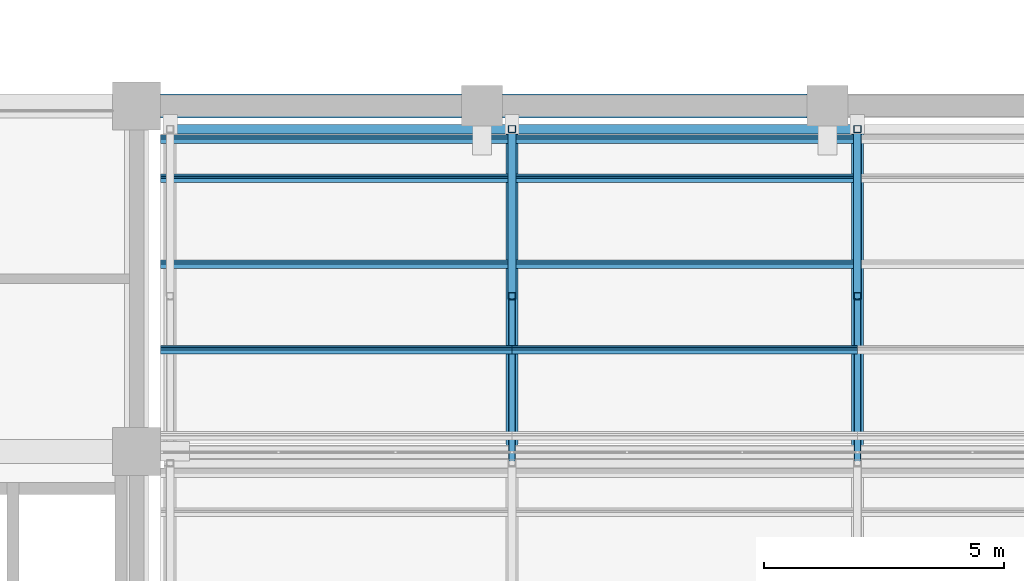
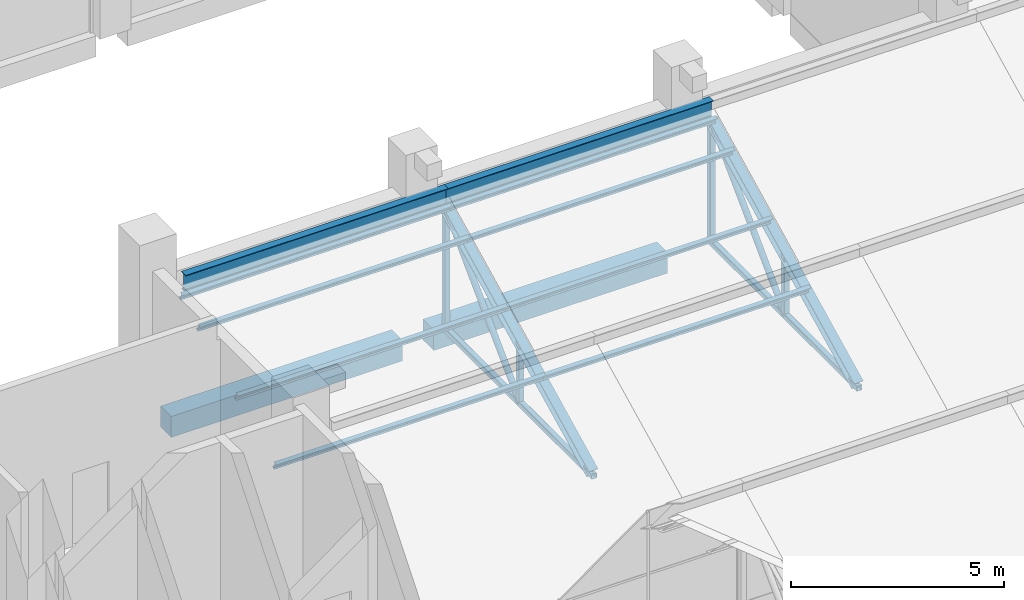
# One storey, part 15 of 83: 20 members, 2 beams.
"""IFC4 building model written with IfcOpenShell, lengths in metres."""

from ifc_helpers import new_model, si_unit, direction, frame, origin, origin_2d, place, context, subcontext, project, spatial, rectangle, hollow_rectangle, hollow_circle, i_section, extrude, material, material_profile, profile_set, type_object, element, save


model = new_model("IFC4")

# Units and contexts
model_context = context("Model", 3, precision=1e-05, world=origin(), true_north=direction((0.0, 1.0)))
body_context = subcontext(model_context, "Body", "Model", "MODEL_VIEW")
ifc_project = project(units=[si_unit("LENGTHUNIT", "METRE"), si_unit("AREAUNIT", "SQUARE_METRE"), si_unit("VOLUMEUNIT", "CUBIC_METRE"), si_unit("PLANEANGLEUNIT", "RADIAN"), si_unit("MASSUNIT", "GRAM", prefix="KILO")], contexts=[model_context])

# Site, building, storey
site_placement = place(None, origin())
site = spatial("IfcSite", under=ifc_project, at=site_placement, CompositionType="ELEMENT")
building_placement = place(site_placement, origin())
building = spatial("IfcBuilding", under=site, at=building_placement, Name="Silangan Lancet Faculty of Sciences", CompositionType="ELEMENT")
storey_placement = place(building_placement, frame((0.0, 0.0, 11.39990234375)))
storey = spatial("IfcBuildingStorey", under=building, at=storey_placement, Name="L02", CompositionType="ELEMENT", Elevation=11.39990234375)

# Beams
ifc_material_1 = material(Name="Concrete C40/50", Category="concrete")
ifc_material_profile_1 = material_profile(ifc_material_1, rectangle(XDim=0.5, YDim=0.60009765625, at=origin_2d()), Name="RC 500x600")
ifc_profile_set_1 = profile_set([ifc_material_profile_1], Name="Concrete C40/50")
beam_type = type_object("IfcBeamType", Name="BEAM RC 500x600", PredefinedType="BEAM", material=ifc_profile_set_1)
beam_1_placement = place(storey_placement, frame((29.300048828125, 21.60009765625, -0.2998046875), z_axis=(1.0, 0.0, 0.0), x_axis=(0.0, 1.0, 0.0)))
element("IfcBeam", 1, at=beam_1_placement, inside=storey, type_object=beam_type, Name="BM-L02-5D-6D", PredefinedType="BEAM", context=body_context, shape_type="SweptSolid", body=[
    extrude(rectangle(XDim=0.5, YDim=0.60009765625, at=origin_2d()), origin(), (0.0, 0.0, 1.0), 6.27490234375),
])
beam_2_placement = place(storey_placement, frame((36.425048828125, 21.60009765625, -0.2998046875), z_axis=(1.0, 0.0, 0.0), x_axis=(0.0, 1.0, 0.0)))
element("IfcBeam", 2, at=beam_2_placement, inside=storey, type_object=beam_type, Name="BM-L02-6D-7D", PredefinedType="BEAM", context=body_context, shape_type="SweptSolid", body=[
    extrude(rectangle(XDim=0.5, YDim=0.60009765625, at=origin_2d()), origin(), (0.0, 0.0, 1.0), 6.349853515625),
])

# Members
ifc_material_2 = material(Name="Steel SS400", Category="steel")
ifc_material_profile_2 = material_profile(ifc_material_2, i_section(OverallWidth=0.199951171875, OverallDepth=0.5, WebThickness=0.010009765625, FlangeThickness=0.01611328125, FilletRadius=0.02001953125, at=origin_2d()), Name="H 500x200x10x16")
ifc_profile_set_2 = profile_set([ifc_material_profile_2], Name="Steel SS400")
member_type_1 = type_object("IfcMemberType", Name="Exposed ridge beam H 500x200x10x16", PredefinedType="MEMBER", material=ifc_profile_set_2)
member_1_placement = place(storey_placement, frame((29.5, 21.114990234375, 3.9326171875), z_axis=(1.0, 0.0, 0.0), x_axis=(0.0, 1.0, 0.0)))
element("IfcMember", 3, at=member_1_placement, inside=storey, type_object=member_type_1, Name="Exposed ridge beam SAB-3-1", PredefinedType="MEMBER", context=body_context, shape_type="SweptSolid", body=[
    extrude(i_section(OverallWidth=0.199951171875, OverallDepth=0.5, WebThickness=0.010009765625, FlangeThickness=0.01611328125, FilletRadius=0.02001953125, at=origin_2d()), origin(), (0.0, 0.0, 1.0), 7.125),
])
member_2_placement = place(storey_placement, frame((36.625, 21.114990234375, 3.9326171875), z_axis=(1.0, 0.0, 0.0), x_axis=(0.0, 1.0, 0.0)))
element("IfcMember", 4, at=member_2_placement, inside=storey, type_object=member_type_1, Name="Exposed ridge beam SAB-3-2", PredefinedType="MEMBER", context=body_context, shape_type="SweptSolid", body=[
    extrude(i_section(OverallWidth=0.199951171875, OverallDepth=0.5, WebThickness=0.010009765625, FlangeThickness=0.01611328125, FilletRadius=0.02001953125, at=origin_2d()), origin(), (0.0, 0.0, 1.0), 7.199951171875),
])
ifc_material_3 = material(Name="Steel SS400", Category="steel")
ifc_material_profile_3 = material_profile(ifc_material_3, i_section(OverallWidth=0.10009765625, OverallDepth=0.199951171875, WebThickness=0.005615234375, FlangeThickness=0.008056640625, FilletRadius=0.008056640625, at=origin_2d()), Name="H 200x100x5.5x8")
ifc_profile_set_3 = profile_set([ifc_material_profile_3], Name="Steel SS400")
member_type_2 = type_object("IfcMemberType", Name="Sheeting purlin H 200x100x5.5x8", PredefinedType="PURLIN", material=ifc_profile_set_3)
for number, where, z_axis, x_axis, name in (
    (5, (29.300048828125, 16.512451171875, 1.526123046875), (1.0, 0.0, 0.0), (0.0, 0.894427192382, 0.447213592736), "Sheeting purlin SAB-3-1 2"),
    (6, (29.300048828125, 18.30126953125, 2.420654296875), (1.0, 0.0, 0.0), (0.0, 0.894427192382, 0.447213592736), "Sheeting purlin SAB-3-1 3"),
    (7, (29.300048828125, 20.090087890625, 3.31494140625), (1.0, 0.0, 0.0), (0.0, 0.894427192382, 0.447213592736), "Sheeting purlin SAB-3-1 4"),
    (8, (29.300048828125, 20.906982421875, 3.723388671875), (1.0, 0.0, 0.0), (0.0, 0.894427192382, 0.447213592736), "Sheeting purlin SAB-3-1 5"),
):
    element("IfcMember", number, at=place(storey_placement, frame(where, z_axis=z_axis, x_axis=x_axis)), inside=storey, type_object=member_type_2, Name=name, PredefinedType="PURLIN", context=body_context, shape_type="SweptSolid", body=[
        extrude(i_section(OverallWidth=0.10009765625, OverallDepth=0.199951171875, WebThickness=0.005615234375, FlangeThickness=0.008056640625, FilletRadius=0.008056640625, at=origin_2d()), origin(), (0.0, 0.0, 1.0), 7.324951171875),
    ])
for number, where, z_axis, x_axis, name in (
    (9, (36.625, 16.512451171875, 1.526123046875), (1.0, 0.0, 0.0), (0.0, 0.894427192382, 0.447213592736), "Sheeting purlin SAB-3-2 2"),
    (10, (36.625, 18.30126953125, 2.420654296875), (1.0, 0.0, 0.0), (0.0, 0.894427192382, 0.447213592736), "Sheeting purlin SAB-3-2 3"),
    (11, (36.625, 20.090087890625, 3.31494140625), (1.0, 0.0, 0.0), (0.0, 0.894427192382, 0.447213592736), "Sheeting purlin SAB-3-2 4"),
    (12, (36.625, 20.906982421875, 3.723388671875), (1.0, 0.0, 0.0), (0.0, 0.894427192382, 0.447213592736), "Sheeting purlin SAB-3-2 5"),
):
    element("IfcMember", number, at=place(storey_placement, frame(where, z_axis=z_axis, x_axis=x_axis)), inside=storey, type_object=member_type_2, Name=name, PredefinedType="PURLIN", context=body_context, shape_type="SweptSolid", body=[
        extrude(i_section(OverallWidth=0.10009765625, OverallDepth=0.199951171875, WebThickness=0.005615234375, FlangeThickness=0.008056640625, FilletRadius=0.008056640625, at=origin_2d()), origin(), (0.0, 0.0, 1.0), 7.199951171875),
    ])
ifc_material_4 = material(Name="Steel STKR400", Category="steel")
ifc_material_profile_4 = material_profile(ifc_material_4, hollow_rectangle(XDim=0.14990234375, YDim=0.14990234375, WallThickness=0.009033203125, InnerFilletRadius=0.009033203125, OuterFilletRadius=0.01806640625, at=origin_2d()), Name="SHS 150x150x9.0")
ifc_profile_set_4 = profile_set([ifc_material_profile_4], Name="Steel STKR400")
member_type_3 = type_object("IfcMemberType", Name="Truss bottom chord SHS 150x150x9.0", PredefinedType="CHORD", material=ifc_profile_set_4)
for number, where, z_axis, x_axis, name in (
    (13, (36.625, 14.1533203125, 0.09521484375), (0.0, 1.0, 0.0), (-1.0, 0.0, 0.0), "Truss 2 bottom chord 3"),
    (14, (43.824951171875, 14.1533203125, 0.09521484375), (0.0, 1.0, 0.0), (-1.0, 0.0, 0.0), "Truss 3 bottom chord 3"),
):
    element("IfcMember", number, at=place(storey_placement, frame(where, z_axis=z_axis, x_axis=x_axis)), inside=storey, type_object=member_type_3, Name=name, PredefinedType="CHORD", context=body_context, shape_type="SweptSolid", body=[
        extrude(hollow_rectangle(XDim=0.14990234375, YDim=0.14990234375, WallThickness=0.009033203125, InnerFilletRadius=0.009033203125, OuterFilletRadius=0.01806640625, at=origin_2d()), origin(), (0.0, 0.0, 1.0), 6.961669921875),
    ])
ifc_material_5 = material(Name="Steel STK400", Category="steel")
ifc_material_profile_5 = material_profile(ifc_material_5, hollow_circle(Radius=0.08251953125, WallThickness=0.0048828125, at=origin_2d()), Name="CHS 165.2x5.0")
ifc_profile_set_5 = profile_set([ifc_material_profile_5], Name="Steel STK400")
member_type_4 = type_object("IfcMemberType", Name="Truss diagonal CHS 165.2x5.0", PredefinedType="BRACE", material=ifc_profile_set_5)
for number, where, z_axis, x_axis, name in (
    (15, (36.625, 17.63427734375, 0.09521484375), (0.0, 0.707106781187, 0.707106781187), (-1.0, 0.0, 0.0), "Truss 2 diagonal 3"),
    (16, (43.824951171875, 17.63427734375, 0.09521484375), (0.0, 0.707106781187, 0.707106781187), (-1.0, 0.0, 0.0), "Truss 3 diagonal 3"),
):
    element("IfcMember", number, at=place(storey_placement, frame(where, z_axis=z_axis, x_axis=x_axis)), inside=storey, type_object=member_type_4, Name=name, PredefinedType="BRACE", context=body_context, shape_type="SweptSolid", body=[
        extrude(hollow_circle(Radius=0.08251953125, WallThickness=0.0048828125, at=origin_2d()), origin(), (0.0, 0.0, 1.0), 4.92236328125),
    ])
ifc_material_6 = material(Name="Steel STKR400", Category="steel")
ifc_material_profile_6 = material_profile(ifc_material_6, hollow_rectangle(XDim=0.14990234375, YDim=0.14990234375, WallThickness=0.006103515625, InnerFilletRadius=0.006103515625, OuterFilletRadius=0.011962890625, at=origin_2d()), Name="SHS 150x150x6.0")
ifc_profile_set_6 = profile_set([ifc_material_profile_6], Name="Steel STKR400")
member_type_5 = type_object("IfcMemberType", Name="Truss post SHS 150x150x6.0", PredefinedType="POST", material=ifc_profile_set_6)
member_3_placement = place(storey_placement, frame((36.625, 21.114990234375, 0.09521484375), z_axis=(0.0, 0.0, 1.0), x_axis=(1.0, 0.0, 0.0)))
element("IfcMember", 17, at=member_3_placement, inside=storey, type_object=member_type_5, Name="Truss 2 riser post 3", PredefinedType="POST", context=body_context, shape_type="SweptSolid", body=[
    extrude(hollow_rectangle(XDim=0.14990234375, YDim=0.14990234375, WallThickness=0.006103515625, InnerFilletRadius=0.006103515625, OuterFilletRadius=0.011962890625, at=origin_2d()), origin(), (0.0, 0.0, 1.0), 3.480712890625),
])
member_4_placement = place(storey_placement, frame((36.625, 17.63427734375, 0.09521484375), z_axis=(0.0, 0.0, 1.0), x_axis=(1.0, 0.0, 0.0)))
element("IfcMember", 18, at=member_4_placement, inside=storey, type_object=member_type_5, Name="Truss 2 mid post 3", PredefinedType="POST", context=body_context, shape_type="SweptSolid", body=[
    extrude(hollow_rectangle(XDim=0.14990234375, YDim=0.14990234375, WallThickness=0.006103515625, InnerFilletRadius=0.006103515625, OuterFilletRadius=0.011962890625, at=origin_2d()), origin(), (0.0, 0.0, 1.0), 1.740234375),
])
member_5_placement = place(storey_placement, frame((43.824951171875, 21.114990234375, 0.09521484375), z_axis=(0.0, 0.0, 1.0), x_axis=(1.0, 0.0, 0.0)))
element("IfcMember", 19, at=member_5_placement, inside=storey, type_object=member_type_5, Name="Truss 3 riser post 3", PredefinedType="POST", context=body_context, shape_type="SweptSolid", body=[
    extrude(hollow_rectangle(XDim=0.14990234375, YDim=0.14990234375, WallThickness=0.006103515625, InnerFilletRadius=0.006103515625, OuterFilletRadius=0.011962890625, at=origin_2d()), origin(), (0.0, 0.0, 1.0), 3.480712890625),
])
member_6_placement = place(storey_placement, frame((43.824951171875, 17.63427734375, 0.09521484375), z_axis=(0.0, 0.0, 1.0), x_axis=(1.0, 0.0, 0.0)))
element("IfcMember", 20, at=member_6_placement, inside=storey, type_object=member_type_5, Name="Truss 3 mid post 3", PredefinedType="POST", context=body_context, shape_type="SweptSolid", body=[
    extrude(hollow_rectangle(XDim=0.14990234375, YDim=0.14990234375, WallThickness=0.006103515625, InnerFilletRadius=0.006103515625, OuterFilletRadius=0.011962890625, at=origin_2d()), origin(), (0.0, 0.0, 1.0), 1.740234375),
])
ifc_material_7 = material(Name="Steel SS400", Category="steel")
ifc_material_profile_7 = material_profile(ifc_material_7, i_section(OverallWidth=0.25, OverallDepth=0.25, WebThickness=0.009033203125, FlangeThickness=0.013916015625, FilletRadius=0.01611328125, at=origin_2d()), Name="H 250x250x9x14")
ifc_profile_set_7 = profile_set([ifc_material_profile_7], Name="Steel SS400")
member_type_6 = type_object("IfcMemberType", Name="Truss top chord H 250x250x9x14", PredefinedType="CHORD", material=ifc_profile_set_7)
for number, where, z_axis, x_axis, name in (
    (21, (36.625, 14.23388671875, 0.13525390625), (0.0, 0.894420844124, 0.447226289027), (-1.0, 0.0, 0.0), "Truss 2 top chord 3"),
    (22, (43.824951171875, 14.23388671875, 0.13525390625), (0.0, 0.894420844124, 0.447226289027), (-1.0, 0.0, 0.0), "Truss 3 top chord 3"),
):
    element("IfcMember", number, at=place(storey_placement, frame(where, z_axis=z_axis, x_axis=x_axis)), inside=storey, type_object=member_type_6, Name=name, PredefinedType="CHORD", context=body_context, shape_type="SweptSolid", body=[
        extrude(i_section(OverallWidth=0.25, OverallDepth=0.25, WebThickness=0.009033203125, FlangeThickness=0.013916015625, FilletRadius=0.01611328125, at=origin_2d()), origin(), (0.0, 0.0, 1.0), 7.693359375),
    ])

save(model, "model.ifc")
